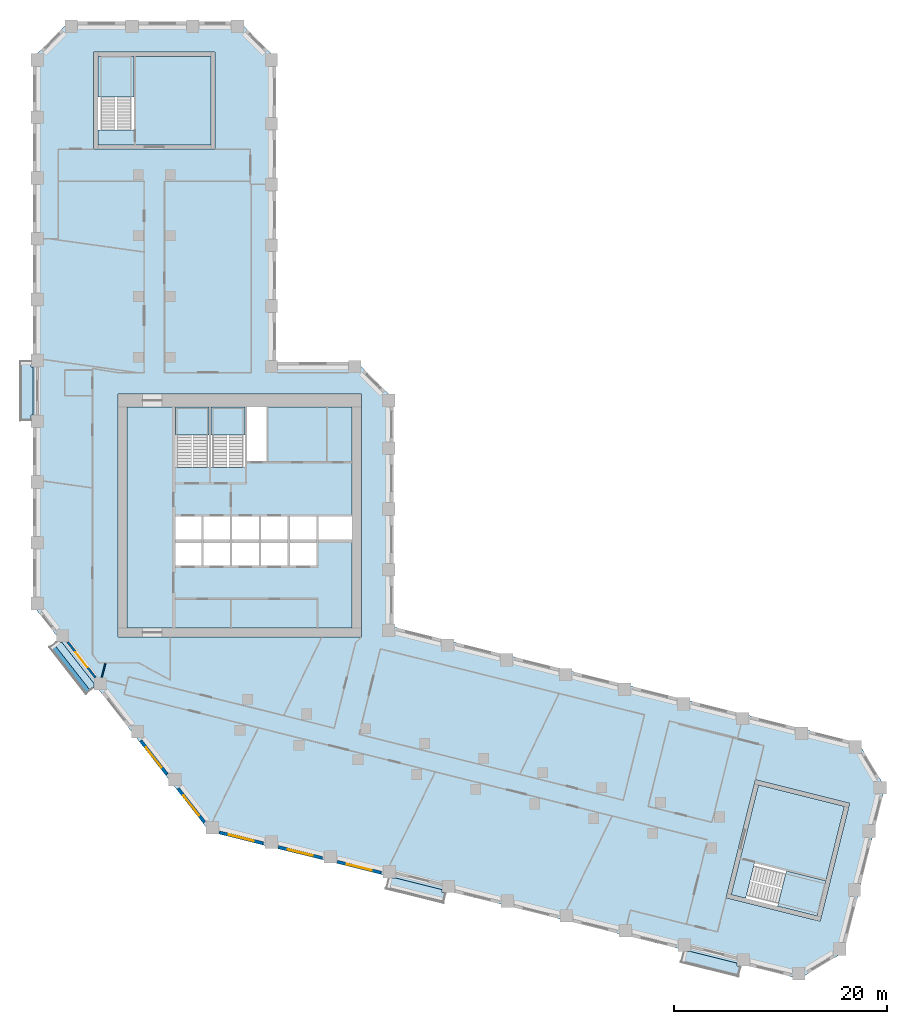
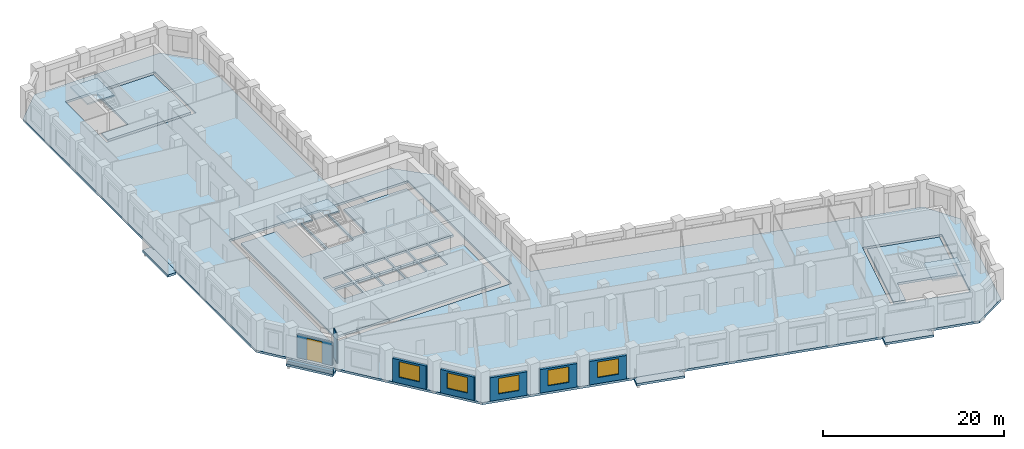
# One storey, part 2 of 10: 12 slabs, 8 walls, 5 windows, 1 door, 6 openings, 4 elements without a shape of their own.
"""IFC4 building model written with IfcOpenShell, lengths in metres."""

import ifcopenshell
import ifcopenshell.guid

model = None  # the IFC model being written
_history = None  # IfcOwnerHistory: only IFC2X3 demands one
_inside = {}  # id of a spatial element -> (the spatial element, [elements in it])
_under = {}  # id of a project, library or spatial element -> (it, [spatial elements below it])
_declared = {}  # id of a project -> (the project, [libraries it declares])
_typed = {}  # id of a type object -> (the type object, [elements of that type])
_made_of = {}  # id of a material, layer set ... -> (it, [elements and type objects made of it])


def new_model(schema):
    """Start an empty IFC model of exactly this schema.

    Asked for "IFC4X3", IfcOpenShell would pick the latest addendum, in which some entities
    have other attributes; the version numbers below select the first issue.
    IFC2X3 requires an IfcOwnerHistory on every rooted entity: one is made here for all.
    """
    global model, _history
    if schema == "IFC4X3":
        model = ifcopenshell.file(schema_version=(4, 3, 0, 0))
    else:
        model = ifcopenshell.file(schema=schema)
    _inside.clear()
    _under.clear()
    _declared.clear()
    _typed.clear()
    _made_of.clear()
    _history = None
    if model.schema == "IFC2X3":
        org = make("IfcOrganization", Name="unknown")
        user = make(
            "IfcPersonAndOrganization",
            ThePerson=make("IfcPerson", FamilyName="unknown"),
            TheOrganization=org,
        )
        app = make(
            "IfcApplication",
            ApplicationDeveloper=org,
            Version="unknown",
            ApplicationFullName="unknown",
            ApplicationIdentifier="unknown",
        )
        _history = make(
            "IfcOwnerHistory",
            OwningUser=user,
            OwningApplication=app,
            ChangeAction="ADDED",
            CreationDate=0,
        )
    return model


def make(cls, **values):
    """One entity of the class cls with the attributes given. An attribute that is None is left unset."""
    return model.create_entity(
        cls, **{name: value for name, value in values.items() if value is not None}
    )


def rooted(cls, **values):
    """An entity with a GlobalId (a new one), such as an element, a storey or a relation."""
    return make(cls, GlobalId=ifcopenshell.guid.new(), OwnerHistory=_history, **values)


def si_unit(unit_type, name, prefix=None):
    """IfcSIUnit, for example si_unit("LENGTHUNIT", "METRE", prefix="MILLI")."""
    return make("IfcSIUnit", UnitType=unit_type, Prefix=prefix, Name=name)


def assignment(units):
    """IfcUnitAssignment: the units of a project."""
    return None if units is None else make("IfcUnitAssignment", Units=units)


def point(xyz):
    """IfcCartesianPoint."""
    return None if xyz is None else make("IfcCartesianPoint", Coordinates=xyz)


def direction(xyz):
    """IfcDirection."""
    return None if xyz is None else make("IfcDirection", DirectionRatios=xyz)


def frame(location, z_axis=None, x_axis=None):
    """IfcAxis2Placement3D, a coordinate frame: its origin and axes. An axis left out is left unset."""
    return make(
        "IfcAxis2Placement3D",
        Location=point(location),
        Axis=direction(z_axis),
        RefDirection=direction(x_axis),
    )


def frame_2d(location, x_axis=None):
    """IfcAxis2Placement2D, a coordinate frame in the plane: its origin and x axis."""
    return make(
        "IfcAxis2Placement2D", Location=point(location), RefDirection=direction(x_axis)
    )


def origin():
    """The frame at (0, 0, 0) with its axes left unset."""
    return frame((0.0, 0.0, 0.0))


def place(relative_to, where):
    """IfcLocalPlacement: puts the frame where relative to a parent placement (None: the world)."""
    return make(
        "IfcLocalPlacement", PlacementRelTo=relative_to, RelativePlacement=where
    )


def context(
    kind, dimensions, precision=None, world=None, true_north=None, identifier=None
):
    """IfcGeometricRepresentationContext, for example the 3D "Model" context."""
    return make(
        "IfcGeometricRepresentationContext",
        ContextIdentifier=identifier,
        ContextType=kind,
        CoordinateSpaceDimension=dimensions,
        Precision=precision,
        WorldCoordinateSystem=world,
        TrueNorth=true_north,
    )


def subcontext(parent, identifier, kind, view, scale=None):
    """IfcGeometricRepresentationSubContext, for example "Body" below "Model"."""
    return make(
        "IfcGeometricRepresentationSubContext",
        ContextIdentifier=identifier,
        ContextType=kind,
        ParentContext=parent,
        TargetScale=scale,
        TargetView=view,
    )


def project(units=None, contexts=None):
    """IfcProject with its units and contexts."""
    return rooted(
        "IfcProject",
        Name="project",
        RepresentationContexts=contexts,
        UnitsInContext=assignment(units),
    )


def spatial(cls, under=None, at=None, **own):
    """A site, building, storey or space (cls), placed at a placement, below another one or the project."""
    s = rooted(cls, ObjectPlacement=at, **own)
    if under is not None:
        _under.setdefault(under.id(), (under, []))[1].append(s)
    return s


def polyline(points):
    """IfcPolyline through the points."""
    return make("IfcPolyline", Points=[point(p) for p in points])


def profile(cls, at=None, kind="AREA", **sizes):
    """A parametric profile (cls). Its sizes go by their IFC names, for example OverallWidth=200.0."""
    return make(cls, ProfileType=kind, Position=at, **sizes)


def rectangle(**sizes):
    """IfcRectangleProfileDef."""
    return profile("IfcRectangleProfileDef", **sizes)


def outline(outer, holes=None, kind="AREA"):
    """IfcArbitraryClosedProfileDef: a profile drawn as a closed curve; with holes, ...WithVoids."""
    if holes is None:
        return make("IfcArbitraryClosedProfileDef", ProfileType=kind, OuterCurve=outer)
    return make(
        "IfcArbitraryProfileDefWithVoids",
        ProfileType=kind,
        OuterCurve=outer,
        InnerCurves=holes,
    )


def extrude(swept, where, along, depth):
    """IfcExtrudedAreaSolid: the profile swept, set in the frame where, extruded along a direction by depth."""
    return make(
        "IfcExtrudedAreaSolid",
        SweptArea=swept,
        Position=where,
        ExtrudedDirection=direction(along),
        Depth=depth,
    )


def shape(context_of_items, identifier, shape_type, items):
    """IfcShapeRepresentation: the items that make up one representation, for example the "Body"."""
    return make(
        "IfcShapeRepresentation",
        ContextOfItems=context_of_items,
        RepresentationIdentifier=identifier,
        RepresentationType=shape_type,
        Items=items,
    )


def material(Name=None, Category=None):
    """IfcMaterial."""
    return make("IfcMaterial", Name=Name, Category=Category)


def layer(
    of_material, thickness, ventilated=None, Name=None, Category=None, Priority=None
):
    """IfcMaterialLayer: one layer of a wall or slab, of a material (None: an air gap)."""
    return make(
        "IfcMaterialLayer",
        Material=of_material,
        LayerThickness=thickness,
        IsVentilated=ventilated,
        Name=Name,
        Category=Category,
        Priority=Priority,
    )


def layer_set(layers, Name=None):
    """IfcMaterialLayerSet."""
    return make("IfcMaterialLayerSet", MaterialLayers=layers, LayerSetName=Name)


def made_of(thing, what):
    """Note that an element or type object is made of a material, layer set ...; save() writes the relation."""
    if what is not None:
        _made_of.setdefault(what.id(), (what, []))[1].append(thing)
    return thing


def type_object(cls, material=None, **own):
    """A type object (cls), such as IfcWallType, which elements share."""
    return made_of(rooted(cls, **own), material)


def element(
    cls,
    number,
    at=None,
    inside=None,
    cuts=None,
    type_object=None,
    material=None,
    context=None,
    identifier="Body",
    shape_type=None,
    held_by="IfcProductDefinitionShape",
    body=None,
    shapes=None,
    **own,
):
    """One element of the class cls, such as IfcWall. Its Tag is "e" and its number.

    at: its placement. inside: the storey or other place that contains it. cuts: it is an
    opening in that element (IfcRelVoidsElement). A single representation is given by context,
    identifier, shape_type and body (its items); several are given by shapes. held_by: the class
    of the entity that holds the representations. save() writes the other relations.
    """
    e = rooted(cls, Tag="e%d" % number, ObjectPlacement=at, **own)
    if body is not None:
        shapes = [shape(context, identifier, shape_type, body)]
    if shapes is not None:
        e.Representation = make(held_by, Representations=shapes)
    if inside is not None:
        _inside.setdefault(inside.id(), (inside, []))[1].append(e)
    if cuts is not None:
        rooted(
            "IfcRelVoidsElement", RelatingBuildingElement=cuts, RelatedOpeningElement=e
        )
    if type_object is not None:
        _typed.setdefault(type_object.id(), (type_object, []))[1].append(e)
    return made_of(e, material)


def fill(opening, filler):
    """IfcRelFillsElement: the door or window that sits in an opening."""
    return rooted(
        "IfcRelFillsElement",
        RelatingOpeningElement=opening,
        RelatedBuildingElement=filler,
    )


def aggregate(whole, parts):
    """IfcRelAggregates: a whole, such as a stair, and the parts it consists of."""
    return rooted("IfcRelAggregates", RelatingObject=whole, RelatedObjects=parts)


def save(model, path):
    """Write the relations noted so far, then the file.

    IfcRelAggregates (storeys below a building ...), IfcRelContainedInSpatialStructure (elements
    in a storey), IfcRelDefinesByType, IfcRelAssociatesMaterial and IfcRelDeclares: one each for
    every whole, place, type object, material and project.
    """
    for whole, parts in _under.values():
        aggregate(whole, parts)
    for where, things in _inside.values():
        rooted(
            "IfcRelContainedInSpatialStructure",
            RelatedElements=things,
            RelatingStructure=where,
        )
    for kind, things in _typed.values():
        rooted("IfcRelDefinesByType", RelatedObjects=things, RelatingType=kind)
    for what, things in _made_of.values():
        rooted("IfcRelAssociatesMaterial", RelatedObjects=things, RelatingMaterial=what)
    for by, libraries in _declared.values():
        rooted("IfcRelDeclares", RelatingContext=by, RelatedDefinitions=libraries)
    model.write(path)


model = new_model("IFC4")

# Units and contexts
model_context = context("Model", 3, precision=1e-05, world=origin(), true_north=direction((0.0, 1.0)))
body_context = subcontext(model_context, "Body", "Model", "MODEL_VIEW")
ifc_project = project(units=[si_unit("LENGTHUNIT", "METRE"), si_unit("AREAUNIT", "SQUARE_METRE"), si_unit("VOLUMEUNIT", "CUBIC_METRE"), si_unit("PLANEANGLEUNIT", "RADIAN"), si_unit("MASSUNIT", "GRAM", prefix="KILO")], contexts=[model_context])

# Site, building, storey
site_placement = place(None, origin())
site = spatial("IfcSite", under=ifc_project, at=site_placement, CompositionType="ELEMENT")
building_placement = place(site_placement, origin())
building = spatial("IfcBuilding", under=site, at=building_placement, Name="Meshkara Civic Tower", CompositionType="ELEMENT")
storey_placement = place(building_placement, frame((0.0, 0.0, 186.60009765625)))
storey = spatial("IfcBuildingStorey", under=building, at=storey_placement, Name="L42", CompositionType="ELEMENT", Elevation=186.60009765625)

# Slabs
ifc_material_1 = material(Name="Concrete C40", Category="concrete")
ifc_layer_1 = layer(ifc_material_1, 0.300048828125)
ifc_layer_set_1 = layer_set([ifc_layer_1], Name="BALCONY SLAB")
slab_type_1 = type_object("IfcSlabType", Name="BALCONY SLAB", PredefinedType="FLOOR", material=ifc_layer_set_1)
slab_1_placement = place(storey_placement, frame((0.0, 0.0, -0.300048828125)))
element("IfcSlab", 1, at=slab_1_placement, inside=storey, type_object=slab_type_1, Name="Balcony slab", PredefinedType="FLOOR", context=body_context, shape_type="SweptSolid", body=[
    extrude(outline(polyline([(-1.199951171875, 34.4150390625), (-1.199951171875, 39.9951171875), (-0.14990234375, 39.9951171875), (-0.14990234375, 39.455078125), (0.0, 39.455078125), (0.0, 34.955078125), (-0.14990234375, 34.955078125), (-0.14990234375, 34.4150390625), (-1.199951171875, 34.4150390625)])), origin(), (0.0, 0.0, 1.0), 0.300048828125),
])
slab_2_placement = place(storey_placement, frame((0.0, 0.0, -0.300048828125)))
element("IfcSlab", 2, at=slab_2_placement, inside=storey, type_object=slab_type_1, Name="Balcony slab", PredefinedType="FLOOR", context=body_context, shape_type="SweptSolid", body=[
    extrude(outline(polyline([(4.986083984375, 8.76904296875), (1.551025390625, 13.166015625), (2.214111328125, 13.68408203125), (2.214111328125, 13.62890625), (2.7119140625, 13.62890625), (5.722900390625, 9.77490234375), (5.722900390625, 9.343994140625), (4.986083984375, 8.76904296875)])), origin(), (0.0, 0.0, 1.0), 0.300048828125),
])
slab_3_placement = place(storey_placement, frame((0.0, 0.0, -0.300048828125)))
element("IfcSlab", 3, at=slab_3_placement, inside=storey, type_object=slab_type_1, Name="Balcony slab", PredefinedType="FLOOR", context=body_context, shape_type="SweptSolid", body=[
    extrude(outline(polyline([(38.51708984375, -10.840087890625), (33.10205078125, -9.489990234375), (33.35498046875, -8.47509765625), (33.991943359375, -8.47509765625), (38.3740234375, -9.568115234375), (38.3740234375, -9.85302734375), (38.762939453125, -9.85302734375), (38.51708984375, -10.840087890625)])), origin(), (0.0, 0.0, 1.0), 0.300048828125),
])
slab_4_placement = place(storey_placement, frame((0.0, 0.0, -0.300048828125)))
element("IfcSlab", 4, at=slab_4_placement, inside=storey, type_object=slab_type_1, Name="Balcony slab", PredefinedType="FLOOR", context=body_context, shape_type="SweptSolid", body=[
    extrude(outline(polyline([(66.169921875, -17.73388671875), (60.756103515625, -16.385009765625), (61.009033203125, -15.368896484375), (61.64306640625, -15.368896484375), (66.027099609375, -16.4619140625), (66.027099609375, -16.748046875), (66.416015625, -16.748046875), (66.169921875, -17.73388671875)])), origin(), (0.0, 0.0, 1.0), 0.300048828125),
])
ifc_material_2 = material(Name="Concrete C40/50", Category="concrete")
ifc_layer_2 = layer(ifc_material_2, 0.300048828125)
ifc_layer_set_2 = layer_set([ifc_layer_2], Name="Core floor slab 300 C40/50")
slab_type_2 = type_object("IfcSlabType", Name="Core floor slab 300 C40/50", PredefinedType="FLOOR", material=ifc_layer_set_2)
slab_5_placement = place(storey_placement, frame((0.0, 0.0, -0.300048828125)))
element("IfcSlab", 5, at=slab_5_placement, inside=storey, type_object=slab_type_2, Name="Core floor K", PredefinedType="FLOOR", context=body_context, shape_type="SweptSolid", body=[
    extrude(outline(polyline([(8.85009765625, 35.699951171875), (13.3701171875, 35.699951171875), (13.3701171875, 30.00146484375), (16.5, 30.00146484375), (16.5, 35.699951171875), (16.699951171875, 35.699951171875), (16.699951171875, 30.00146484375), (19.89990234375, 30.00146484375), (19.89990234375, 35.699951171875), (20.10009765625, 35.699951171875), (20.10009765625, 30.574951171875), (21.925048828125, 30.574951171875), (21.925048828125, 35.699951171875), (29.949951171875, 35.699951171875), (29.949951171875, 25.39990234375), (26.800048828125, 25.39990234375), (26.800048828125, 23.27001953125), (29.949951171875, 23.27001953125), (29.949951171875, 14.949951171875), (8.85009765625, 14.949951171875), (8.85009765625, 35.699951171875)]), holes=[polyline([(15.800048828125, 22.929931640625), (13.3701171875, 22.929931640625), (13.3701171875, 20.800048828125), (15.800048828125, 20.800048828125), (15.800048828125, 22.929931640625)]), polyline([(16.0, 22.929931640625), (16.0, 20.800048828125), (18.5, 20.800048828125), (18.5, 22.929931640625), (16.0, 22.929931640625)]), polyline([(18.699951171875, 22.929931640625), (18.699951171875, 20.800048828125), (21.199951171875, 20.800048828125), (21.199951171875, 22.929931640625), (18.699951171875, 22.929931640625)]), polyline([(15.800048828125, 23.27001953125), (15.800048828125, 25.39990234375), (13.3701171875, 25.39990234375), (13.3701171875, 23.27001953125), (15.800048828125, 23.27001953125)]), polyline([(16.0, 25.39990234375), (16.0, 23.27001953125), (18.5, 23.27001953125), (18.5, 25.39990234375), (16.0, 25.39990234375)]), polyline([(23.89990234375, 20.800048828125), (23.89990234375, 22.929931640625), (21.39990234375, 22.929931640625), (21.39990234375, 20.800048828125), (23.89990234375, 20.800048828125)]), polyline([(24.10009765625, 20.800048828125), (26.60009765625, 20.800048828125), (26.60009765625, 22.929931640625), (24.10009765625, 22.929931640625), (24.10009765625, 20.800048828125)]), polyline([(18.699951171875, 25.39990234375), (18.699951171875, 23.27001953125), (21.199951171875, 23.27001953125), (21.199951171875, 25.39990234375), (18.699951171875, 25.39990234375)]), polyline([(21.39990234375, 23.27001953125), (23.89990234375, 23.27001953125), (23.89990234375, 25.39990234375), (21.39990234375, 25.39990234375), (21.39990234375, 23.27001953125)]), polyline([(24.10009765625, 23.27001953125), (26.60009765625, 23.27001953125), (26.60009765625, 25.39990234375), (24.10009765625, 25.39990234375), (24.10009765625, 23.27001953125)])]), origin(), (0.0, 0.0, 1.0), 0.300048828125),
])
slab_6_placement = place(storey_placement, frame((0.0, 0.0, -0.300048828125)))
element("IfcSlab", 6, at=slab_6_placement, inside=storey, type_object=slab_type_2, Name="Core floor EA", PredefinedType="FLOOR", context=body_context, shape_type="SweptSolid", body=[
    extrude(outline(polyline([(16.699951171875, 60.27001953125), (16.699951171875, 68.570068359375), (9.5, 68.570068359375), (9.5, 61.67138671875), (6.10009765625, 61.67138671875), (6.10009765625, 60.27001953125), (16.699951171875, 60.27001953125)])), origin(), (0.0, 0.0, 1.0), 0.300048828125),
])
slab_7_placement = place(storey_placement, frame((0.0, 0.0, -0.300048828125)))
element("IfcSlab", 7, at=slab_7_placement, inside=storey, type_object=slab_type_2, Name="Core floor EB", PredefinedType="FLOOR", context=body_context, shape_type="SweptSolid", body=[
    extrude(outline(polyline([(68.050537109375, 0.244384765625), (76.10400390625, -1.763671875), (74.362060546875, -8.749755859375), (67.66845703125, -7.080810546875), (66.845947265625, -10.3798828125), (65.486083984375, -10.040771484375), (68.050537109375, 0.244384765625)])), origin(), (0.0, 0.0, 1.0), 0.300048828125),
])

# Stair, slab
ifc_material_3 = material(Name="Precast concrete C40/50", Category="concrete")
stair_type = type_object("IfcStairType", Name="Exit stair half-turn 24 risers precast", PredefinedType="HALF_TURN_STAIR", material=ifc_material_3)
stair_1_placement = place(storey_placement, origin())
stair_1 = element("IfcStair", 8, at=stair_1_placement, inside=storey, type_object=stair_type, Name="L42 exit stair 1", PredefinedType="HALF_TURN_STAIR")
ifc_material_4 = material(Name="Precast concrete C40/50", Category="concrete")
ifc_layer_3 = layer(ifc_material_4, 0.199951171875)
ifc_layer_set_3 = layer_set([ifc_layer_3], Name="Exit stair landing 200")
slab_type_3 = type_object("IfcSlabType", Name="Exit stair landing 200", PredefinedType="LANDING", material=ifc_layer_set_3)
slab_8_placement = place(storey_placement, frame((0.0, 0.0, 1.89990234375)))
slab_8 = element("IfcSlab", 9, at=slab_8_placement, type_object=slab_type_3, Name="ST1 landing 1", PredefinedType="LANDING", context=body_context, shape_type="SweptSolid", body=[
    extrude(outline(polyline([(16.5, 33.07861328125), (16.5, 35.699951171875), (13.3701171875, 35.699951171875), (13.3701171875, 33.07861328125), (16.5, 33.07861328125)])), origin(), (0.0, 0.0, 1.0), 0.199951171875),
])
aggregate(stair_1, [slab_8])

stair_2_placement = place(storey_placement, origin())
stair_2 = element("IfcStair", 10, at=stair_2_placement, inside=storey, type_object=stair_type, Name="L42 exit stair 2", PredefinedType="HALF_TURN_STAIR")
slab_9_placement = place(storey_placement, frame((0.0, 0.0, 1.89990234375)))
slab_9 = element("IfcSlab", 11, at=slab_9_placement, type_object=slab_type_3, Name="ST2 landing 1", PredefinedType="LANDING", context=body_context, shape_type="SweptSolid", body=[
    extrude(outline(polyline([(19.89990234375, 33.07861328125), (19.89990234375, 35.699951171875), (16.699951171875, 35.699951171875), (16.699951171875, 33.07861328125), (19.89990234375, 33.07861328125)])), origin(), (0.0, 0.0, 1.0), 0.199951171875),
])
aggregate(stair_2, [slab_9])

stair_3_placement = place(storey_placement, origin())
stair_3 = element("IfcStair", 12, at=stair_3_placement, inside=storey, type_object=stair_type, Name="L42 exit stair A from L35", PredefinedType="HALF_TURN_STAIR")
slab_10_placement = place(storey_placement, frame((0.0, 0.0, 1.89990234375)))
slab_10 = element("IfcSlab", 13, at=slab_10_placement, type_object=slab_type_3, Name="ESA3 landing 1", PredefinedType="LANDING", context=body_context, shape_type="SweptSolid", body=[
    extrude(outline(polyline([(9.5, 64.74853515625), (9.5, 68.570068359375), (6.10009765625, 68.570068359375), (6.10009765625, 64.74853515625), (9.5, 64.74853515625)])), origin(), (0.0, 0.0, 1.0), 0.199951171875),
])
aggregate(stair_3, [slab_10])

stair_4_placement = place(storey_placement, origin())
stair_4 = element("IfcStair", 14, at=stair_4_placement, inside=storey, type_object=stair_type, Name="L42 exit stair B from L35", PredefinedType="HALF_TURN_STAIR")
slab_11_placement = place(storey_placement, frame((0.0, 0.0, 1.89990234375)))
slab_11 = element("IfcSlab", 15, at=slab_11_placement, type_object=slab_type_3, Name="ESB3 landing 1", PredefinedType="LANDING", context=body_context, shape_type="SweptSolid", body=[
    extrude(outline(polyline([(69.831298828125, -11.124755859375), (73.5400390625, -12.049072265625), (74.3623046875, -8.7490234375), (70.653564453125, -7.82470703125), (69.831298828125, -11.124755859375)])), origin(), (0.0, 0.0, 1.0), 0.199951171875),
])
aggregate(stair_4, [slab_11])

# Slab
ifc_material_5 = material(Name="Concrete C50", Category="concrete")
ifc_layer_4 = layer(ifc_material_5, 0.300048828125)
ifc_layer_set_4 = layer_set([ifc_layer_4], Name="Post-tensioned flat slab 300 C50")
slab_type_4 = type_object("IfcSlabType", Name="Post-tensioned flat slab 300 C50", PredefinedType="FLOOR", material=ifc_layer_set_4)
slab_12_placement = place(storey_placement, frame((0.0, 0.0, -0.300048828125)))
element("IfcSlab", 16, at=slab_12_placement, inside=storey, type_object=slab_type_4, Name="Post-tensioned flat slab L42", PredefinedType="FLOOR", context=body_context, shape_type="SweptSolid", body=[
    extrude(outline(polyline([(76.044921875, -15.43505859375), (71.89892578125, -17.926025390625), (16.592041015625, -4.136962890625), (0.0, 17.10009765625), (0.0, 68.39990234375), (3.419921875, 71.820068359375), (19.3798828125, 71.820068359375), (22.800048828125, 68.39990234375), (22.800048828125, 39.89990234375), (30.3798828125, 39.89990234375), (33.800048828125, 36.47998046875), (33.800048828125, 15.071044921875), (77.4150390625, 4.196044921875), (79.906005859375, 0.051025390625), (76.044921875, -15.43505859375)]), holes=[polyline([(73.8310546875, -12.533935546875), (76.589111328125, -1.471923828125), (67.759033203125, 0.72900390625), (65.0009765625, -10.33203125), (73.8310546875, -12.533935546875)]), polyline([(8.0, 14.10009765625), (30.800048828125, 14.10009765625), (30.800048828125, 36.89990234375), (8.0, 36.89990234375), (8.0, 14.10009765625)]), polyline([(5.699951171875, 68.969970703125), (5.699951171875, 59.8701171875), (17.10009765625, 59.8701171875), (17.10009765625, 68.969970703125), (5.699951171875, 68.969970703125)])]), origin(), (0.0, 0.0, 1.0), 0.300048828125),
])

# Wall, opening, window
ifc_material_6 = material(Name="Insulated infill panel with bronze anodised aluminium cladding", Category="aluminium")
ifc_layer_5 = layer(ifc_material_6, 0.300048828125)
ifc_layer_set_5 = layer_set([ifc_layer_5], Name="EXTERNAL INFILL WALL 300")
wall_type_1 = type_object("IfcWallType", Name="EXTERNAL INFILL WALL 300", PredefinedType="SOLIDWALL", material=ifc_layer_set_5)
wall_1_placement = place(storey_placement, frame((10.114990234375, 4.39697265625, 0.0), z_axis=(0.0, 0.0, 1.0), x_axis=(0.615644041972, -0.788024373725, 0.0)))
wall_1 = element("IfcWall", 17, at=wall_1_placement, inside=storey, type_object=wall_type_1, Name="External wall", PredefinedType="SOLIDWALL", context=body_context, shape_type="SweptSolid", body=[
    extrude(rectangle(XDim=4.01513671875, YDim=0.300048828125, at=frame_2d((2.007568359375, 0.0))), origin(), (0.0, 0.0, 1.0), 3.14990234375),
])
opening_1_placement = place(wall_1_placement, frame((0.806884765625, 0.0, 0.800048828125)))
opening_1 = element("IfcOpeningElement", 18, at=opening_1_placement, cuts=wall_1, Name="Opening W7", PredefinedType="OPENING", context=body_context, shape_type="SweptSolid", body=[
    extrude(rectangle(XDim=2.39990234375, YDim=2.10009765625, at=frame_2d((1.199951171875, 1.050048828125))), frame((0.0, 0.159912109375, 0.0), z_axis=(0.0, -1.0, 0.0), x_axis=(1.0, 0.0, 0.0)), (0.0, 0.0, 1.0), 0.320068359375),
])
ifc_material_7 = material(Name="Tinted double glazing", Category="glass")
window_type = type_object("IfcWindowType", Name="WINDOW 2400x2100", PartitioningType="DOUBLE_PANEL_VERTICAL", PredefinedType="WINDOW", material=ifc_material_7)
window_1_placement = place(opening_1_placement, origin())
window_1 = element("IfcWindow", 19, at=window_1_placement, inside=storey, type_object=window_type, Name="Window", OverallHeight=2.10009765625, OverallWidth=2.39990234375, PartitioningType="DOUBLE_PANEL_VERTICAL", PredefinedType="WINDOW", context=body_context, shape_type="SweptSolid", body=[
    extrude(rectangle(XDim=2.39990234375, YDim=2.10009765625, at=frame_2d((1.199951171875, 1.050048828125))), frame((0.0, 0.030029296875, 0.0), z_axis=(0.0, -1.0, 0.0), x_axis=(1.0, 0.0, 0.0)), (0.0, 0.0, 1.0), 0.06005859375),
])
fill(opening_1, window_1)

wall_2_placement = place(storey_placement, frame((13.6240234375, -0.093994140625, 0.0), z_axis=(0.0, 0.0, 1.0), x_axis=(0.615526062586, -0.7881165309, 0.0)))
wall_2 = element("IfcWall", 20, at=wall_2_placement, inside=storey, type_object=wall_type_1, Name="External wall", PredefinedType="SOLIDWALL", context=body_context, shape_type="SweptSolid", body=[
    extrude(rectangle(XDim=4.015869140625, YDim=0.300048828125, at=frame_2d((2.0078125, 0.0))), origin(), (0.0, 0.0, 1.0), 3.14990234375),
])
opening_2_placement = place(wall_2_placement, frame((0.80810546875, 0.0, 0.800048828125)))
opening_2 = element("IfcOpeningElement", 21, at=opening_2_placement, cuts=wall_2, Name="Opening W7", PredefinedType="OPENING", context=body_context, shape_type="SweptSolid", body=[
    extrude(rectangle(XDim=2.39990234375, YDim=2.10009765625, at=frame_2d((1.199951171875, 1.050048828125))), frame((0.0, 0.159912109375, 0.0), z_axis=(0.0, -1.0, 0.0), x_axis=(1.0, 0.0, 0.0)), (0.0, 0.0, 1.0), 0.320068359375),
])
window_2_placement = place(opening_2_placement, origin())
window_2 = element("IfcWindow", 22, at=window_2_placement, inside=storey, type_object=window_type, Name="Window", OverallHeight=2.10009765625, OverallWidth=2.39990234375, PartitioningType="DOUBLE_PANEL_VERTICAL", PredefinedType="WINDOW", context=body_context, shape_type="SweptSolid", body=[
    extrude(rectangle(XDim=2.39990234375, YDim=2.10009765625, at=frame_2d((1.199951171875, 1.050048828125))), frame((0.0, 0.030029296875, 0.0), z_axis=(0.0, -1.0, 0.0), x_axis=(1.0, 0.0, 0.0)), (0.0, 0.0, 1.0), 0.06005859375),
])
fill(opening_2, window_2)

wall_3_placement = place(storey_placement, frame((17.48388671875, -4.205078125, 0.0), z_axis=(0.0, 0.0, 1.0), x_axis=(0.970318118028, -0.241832069473, 0.0)))
wall_3 = element("IfcWall", 23, at=wall_3_placement, inside=storey, type_object=wall_type_1, Name="External wall", PredefinedType="SOLIDWALL", context=body_context, shape_type="SweptSolid", body=[
    extrude(rectangle(XDim=4.24609375, YDim=0.300048828125, at=frame_2d((2.123046875, 0.0))), origin(), (0.0, 0.0, 1.0), 3.14990234375),
])
opening_3_placement = place(wall_3_placement, frame((0.923095703125, 0.0, 0.800048828125)))
opening_3 = element("IfcOpeningElement", 24, at=opening_3_placement, cuts=wall_3, Name="Opening W7", PredefinedType="OPENING", context=body_context, shape_type="SweptSolid", body=[
    extrude(rectangle(XDim=2.39990234375, YDim=2.10009765625, at=frame_2d((1.199951171875, 1.050048828125))), frame((0.0, 0.159912109375, 0.0), z_axis=(0.0, -1.0, 0.0), x_axis=(1.0, 0.0, 0.0)), (0.0, 0.0, 1.0), 0.320068359375),
])
window_3_placement = place(opening_3_placement, origin())
window_3 = element("IfcWindow", 25, at=window_3_placement, inside=storey, type_object=window_type, Name="Window", OverallHeight=2.10009765625, OverallWidth=2.39990234375, PartitioningType="DOUBLE_PANEL_VERTICAL", PredefinedType="WINDOW", context=body_context, shape_type="SweptSolid", body=[
    extrude(rectangle(XDim=2.39990234375, YDim=2.10009765625, at=frame_2d((1.199951171875, 1.050048828125))), frame((0.0, 0.030029296875, 0.0), z_axis=(0.0, -1.0, 0.0), x_axis=(1.0, 0.0, 0.0)), (0.0, 0.0, 1.0), 0.06005859375),
])
fill(opening_3, window_3)

wall_4_placement = place(storey_placement, frame((23.014892578125, -5.583984375, 0.0), z_axis=(0.0, 0.0, 1.0), x_axis=(0.970291164166, -0.241940192487, 0.0)))
wall_4 = element("IfcWall", 26, at=wall_4_placement, inside=storey, type_object=wall_type_1, Name="External wall", PredefinedType="SOLIDWALL", context=body_context, shape_type="SweptSolid", body=[
    extrude(rectangle(XDim=4.245361328125, YDim=0.300048828125, at=frame_2d((2.12255859375, 0.0))), origin(), (0.0, 0.0, 1.0), 3.14990234375),
])
opening_4_placement = place(wall_4_placement, frame((0.922119140625, 0.0, 0.800048828125)))
opening_4 = element("IfcOpeningElement", 27, at=opening_4_placement, cuts=wall_4, Name="Opening W7", PredefinedType="OPENING", context=body_context, shape_type="SweptSolid", body=[
    extrude(rectangle(XDim=2.39990234375, YDim=2.10009765625, at=frame_2d((1.199951171875, 1.050048828125))), frame((0.0, 0.159912109375, 0.0), z_axis=(0.0, -1.0, 0.0), x_axis=(1.0, 0.0, 0.0)), (0.0, 0.0, 1.0), 0.320068359375),
])
window_4_placement = place(opening_4_placement, origin())
window_4 = element("IfcWindow", 28, at=window_4_placement, inside=storey, type_object=window_type, Name="Window", OverallHeight=2.10009765625, OverallWidth=2.39990234375, PartitioningType="DOUBLE_PANEL_VERTICAL", PredefinedType="WINDOW", context=body_context, shape_type="SweptSolid", body=[
    extrude(rectangle(XDim=2.39990234375, YDim=2.10009765625, at=frame_2d((1.199951171875, 1.050048828125))), frame((0.0, 0.030029296875, 0.0), z_axis=(0.0, -1.0, 0.0), x_axis=(1.0, 0.0, 0.0)), (0.0, 0.0, 1.0), 0.06005859375),
])
fill(opening_4, window_4)

wall_5_placement = place(storey_placement, frame((28.544921875, -6.962890625, 0.0), z_axis=(0.0, 0.0, 1.0), x_axis=(0.97030462482, -0.241886202691, 0.0)))
wall_5 = element("IfcWall", 29, at=wall_5_placement, inside=storey, type_object=wall_type_1, Name="External wall", PredefinedType="SOLIDWALL", context=body_context, shape_type="SweptSolid", body=[
    extrude(rectangle(XDim=4.24609375, YDim=0.300048828125, at=frame_2d((2.123046875, 0.0))), origin(), (0.0, 0.0, 1.0), 3.14990234375),
])
opening_5_placement = place(wall_5_placement, frame((0.923095703125, 0.0, 0.800048828125)))
opening_5 = element("IfcOpeningElement", 30, at=opening_5_placement, cuts=wall_5, Name="Opening W7", PredefinedType="OPENING", context=body_context, shape_type="SweptSolid", body=[
    extrude(rectangle(XDim=2.39990234375, YDim=2.10009765625, at=frame_2d((1.199951171875, 1.050048828125))), frame((0.0, 0.159912109375, 0.0), z_axis=(0.0, -1.0, 0.0), x_axis=(1.0, 0.0, 0.0)), (0.0, 0.0, 1.0), 0.320068359375),
])
window_5_placement = place(opening_5_placement, origin())
window_5 = element("IfcWindow", 31, at=window_5_placement, inside=storey, type_object=window_type, Name="Window", OverallHeight=2.10009765625, OverallWidth=2.39990234375, PartitioningType="DOUBLE_PANEL_VERTICAL", PredefinedType="WINDOW", context=body_context, shape_type="SweptSolid", body=[
    extrude(rectangle(XDim=2.39990234375, YDim=2.10009765625, at=frame_2d((1.199951171875, 1.050048828125))), frame((0.0, 0.030029296875, 0.0), z_axis=(0.0, -1.0, 0.0), x_axis=(1.0, 0.0, 0.0)), (0.0, 0.0, 1.0), 0.06005859375),
])
fill(opening_5, window_5)

# Wall, opening, door
ifc_material_8 = material(Name="Insulated infill panel with bronze anodised aluminium cladding", Category="aluminium")
ifc_layer_6 = layer(ifc_material_8, 0.199951171875)
ifc_layer_set_6 = layer_set([ifc_layer_6], Name="LOGGIA BACK WALL 200")
wall_type_2 = type_object("IfcWallType", Name="LOGGIA BACK WALL 200", PredefinedType="SOLIDWALL", material=ifc_layer_set_6)
wall_6_placement = place(storey_placement, frame((3.282958984375, 13.62890625, 0.0), z_axis=(0.0, 0.0, 1.0), x_axis=(0.615666723149, -0.78800665353, 0.0)))
wall_6 = element("IfcWall", 32, at=wall_6_placement, inside=storey, type_object=wall_type_2, Name="Loggia wall", PredefinedType="SOLIDWALL", context=body_context, shape_type="SweptSolid", body=[
    extrude(rectangle(XDim=4.177734375, YDim=0.199951171875, at=frame_2d((2.0888671875, 0.0))), origin(), (0.0, 0.0, 1.0), 3.14990234375),
])
opening_6_placement = place(wall_6_placement, frame((1.18798828125, 0.0, 0.0)))
opening_6 = element("IfcOpeningElement", 33, at=opening_6_placement, cuts=wall_6, Name="Opening L42-L002", PredefinedType="OPENING", context=body_context, shape_type="SweptSolid", body=[
    extrude(rectangle(XDim=1.800048828125, YDim=2.89990234375, at=frame_2d((0.89990234375, 1.449951171875))), frame((0.0, 0.10986328125, 0.0), z_axis=(0.0, -1.0, 0.0), x_axis=(1.0, 0.0, 0.0)), (0.0, 0.0, 1.0), 0.219970703125),
])
ifc_material_9 = material(Name="Tinted double glazing", Category="glass")
door_type = type_object("IfcDoorType", Name="LOGGIA DOOR 1800x2900", OperationType="DOUBLE_DOOR_SINGLE_SWING", PredefinedType="DOOR", material=ifc_material_9)
door_placement = place(opening_6_placement, origin())
door = element("IfcDoor", 34, at=door_placement, inside=storey, type_object=door_type, Name="L42-L002", OperationType="DOUBLE_DOOR_SINGLE_SWING", OverallHeight=2.89990234375, OverallWidth=1.800048828125, PredefinedType="DOOR", context=body_context, shape_type="SweptSolid", body=[
    extrude(rectangle(XDim=1.800048828125, YDim=2.89990234375, at=frame_2d((0.89990234375, 1.449951171875))), frame((0.0, 0.02490234375, 0.0), z_axis=(0.0, -1.0, 0.0), x_axis=(1.0, 0.0, 0.0)), (0.0, 0.0, 1.0), 0.050048828125),
])
fill(opening_6, door)

# Walls
ifc_material_10 = material(Name="Concrete C40", Category="concrete")
ifc_layer_7 = layer(ifc_material_10, 0.39990234375)
ifc_layer_set_7 = layer_set([ifc_layer_7], Name="PLANTER TRAY")
wall_type_3 = type_object("IfcWallType", Name="PLANTER TRAY", PredefinedType="SOLIDWALL", material=ifc_layer_set_7)
wall_7_placement = place(storey_placement, frame((1.87109375, 13.27587890625, 0.0), z_axis=(0.0, 0.0, 1.0), x_axis=(0.615632551218, -0.788033350741, 0.0)))
element("IfcWall", 35, at=wall_7_placement, inside=storey, type_object=wall_type_3, Name="Planter", PredefinedType="SOLIDWALL", context=body_context, shape_type="SweptSolid", body=[
    extrude(rectangle(XDim=5.360107421875, YDim=0.39990234375, at=frame_2d((2.68017578125, 0.0))), origin(), (0.0, 0.0, 1.0), 0.2998046875),
])
ifc_material_11 = material(Name="Partition 100")
ifc_layer_8 = layer(ifc_material_11, 0.10009765625)
ifc_layer_set_8 = layer_set([ifc_layer_8], Name="Partition 100")
wall_type_4 = type_object("IfcWallType", Name="Partition 100", PredefinedType="PARTITIONING", material=ifc_layer_set_8)
wall_8_placement = place(storey_placement, frame((6.797119140625, 11.637939453125, 0.0), z_axis=(0.0, 0.0, 1.0), x_axis=(-0.242492789119, -0.97015320812, 0.0)))
element("IfcWall", 36, at=wall_8_placement, inside=storey, type_object=wall_type_4, Name="L42-W047", PredefinedType="PARTITIONING", context=body_context, shape_type="SweptSolid", body=[
    extrude(rectangle(XDim=1.341064453125, YDim=0.10009765625, at=frame_2d((0.67041015625, 0.0))), origin(), (0.0, 0.0, 1.0), 3.89990234375),
])

save(model, "model.ifc")
